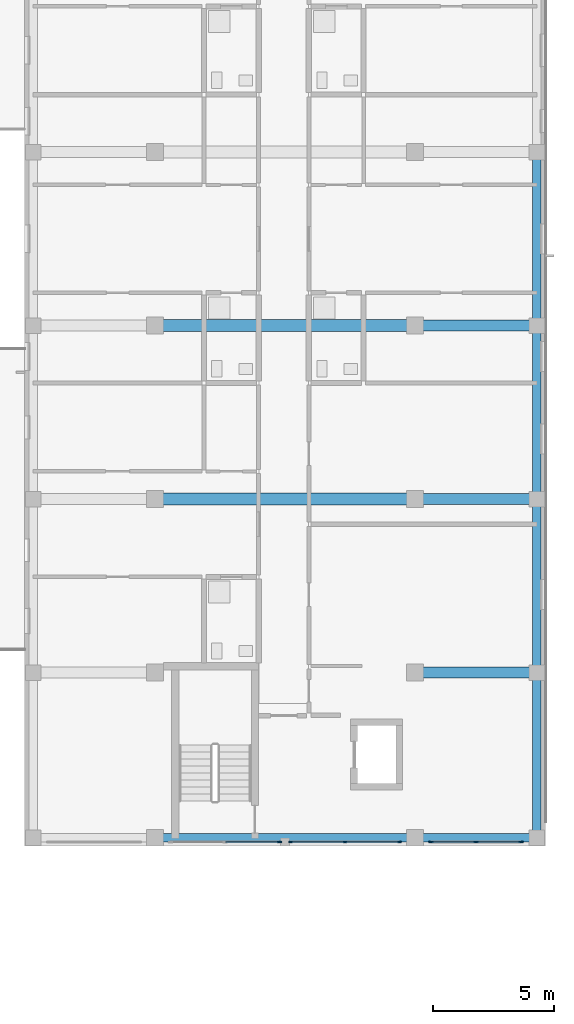
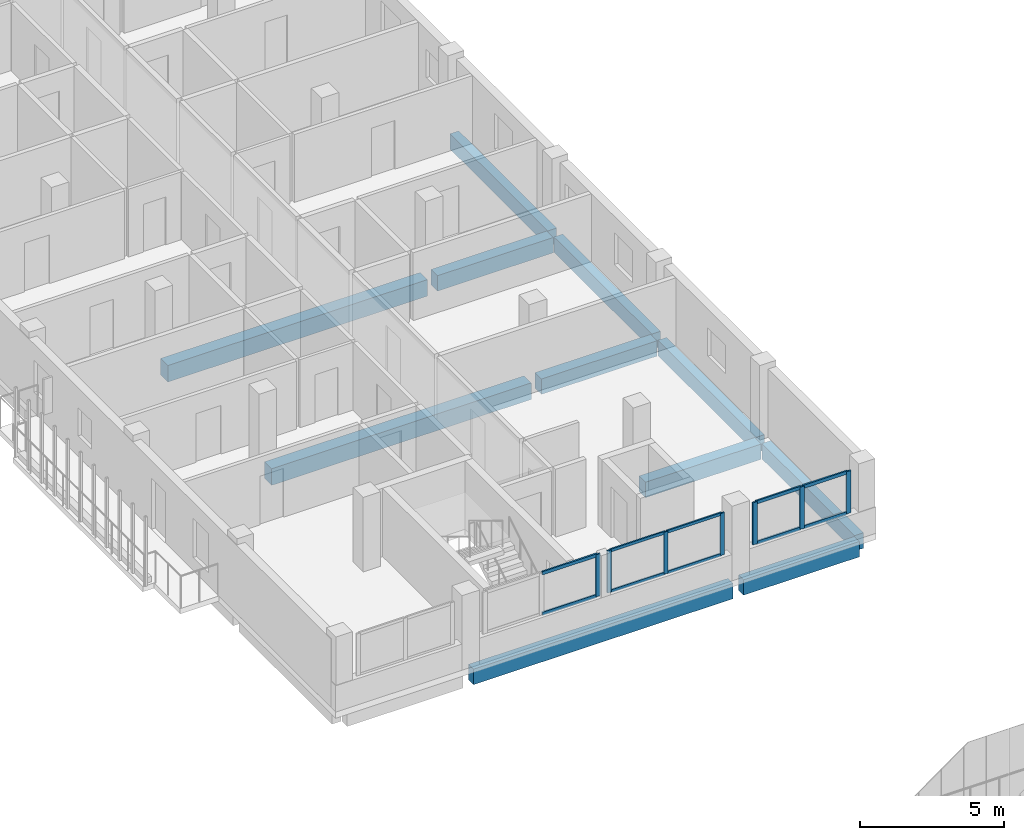
# One storey, part 19 of 56: 17 members, 11 beams, 3 elements without a shape of their own.
"""IFC4 building model written with IfcOpenShell, lengths in metres."""

import ifcopenshell
import ifcopenshell.guid

model = None  # the IFC model being written
_history = None  # IfcOwnerHistory: only IFC2X3 demands one
_inside = {}  # id of a spatial element -> (the spatial element, [elements in it])
_under = {}  # id of a project, library or spatial element -> (it, [spatial elements below it])
_declared = {}  # id of a project -> (the project, [libraries it declares])
_typed = {}  # id of a type object -> (the type object, [elements of that type])
_made_of = {}  # id of a material, layer set ... -> (it, [elements and type objects made of it])


def new_model(schema):
    """Start an empty IFC model of exactly this schema.

    Asked for "IFC4X3", IfcOpenShell would pick the latest addendum, in which some entities
    have other attributes; the version numbers below select the first issue.
    IFC2X3 requires an IfcOwnerHistory on every rooted entity: one is made here for all.
    """
    global model, _history
    if schema == "IFC4X3":
        model = ifcopenshell.file(schema_version=(4, 3, 0, 0))
    else:
        model = ifcopenshell.file(schema=schema)
    _inside.clear()
    _under.clear()
    _declared.clear()
    _typed.clear()
    _made_of.clear()
    _history = None
    if model.schema == "IFC2X3":
        org = make("IfcOrganization", Name="unknown")
        user = make(
            "IfcPersonAndOrganization",
            ThePerson=make("IfcPerson", FamilyName="unknown"),
            TheOrganization=org,
        )
        app = make(
            "IfcApplication",
            ApplicationDeveloper=org,
            Version="unknown",
            ApplicationFullName="unknown",
            ApplicationIdentifier="unknown",
        )
        _history = make(
            "IfcOwnerHistory",
            OwningUser=user,
            OwningApplication=app,
            ChangeAction="ADDED",
            CreationDate=0,
        )
    return model


def make(cls, **values):
    """One entity of the class cls with the attributes given. An attribute that is None is left unset."""
    return model.create_entity(
        cls, **{name: value for name, value in values.items() if value is not None}
    )


def rooted(cls, **values):
    """An entity with a GlobalId (a new one), such as an element, a storey or a relation."""
    return make(cls, GlobalId=ifcopenshell.guid.new(), OwnerHistory=_history, **values)


def si_unit(unit_type, name, prefix=None):
    """IfcSIUnit, for example si_unit("LENGTHUNIT", "METRE", prefix="MILLI")."""
    return make("IfcSIUnit", UnitType=unit_type, Prefix=prefix, Name=name)


def derived_unit(unit_type, elements):
    """IfcDerivedUnit: a product of units, each with its exponent."""
    return make(
        "IfcDerivedUnit",
        Elements=[
            make("IfcDerivedUnitElement", Unit=unit, Exponent=power)
            for unit, power in elements
        ],
        UnitType=unit_type,
    )


def assignment(units):
    """IfcUnitAssignment: the units of a project."""
    return None if units is None else make("IfcUnitAssignment", Units=units)


def point(xyz):
    """IfcCartesianPoint."""
    return None if xyz is None else make("IfcCartesianPoint", Coordinates=xyz)


def direction(xyz):
    """IfcDirection."""
    return None if xyz is None else make("IfcDirection", DirectionRatios=xyz)


def frame(location, z_axis=None, x_axis=None):
    """IfcAxis2Placement3D, a coordinate frame: its origin and axes. An axis left out is left unset."""
    return make(
        "IfcAxis2Placement3D",
        Location=point(location),
        Axis=direction(z_axis),
        RefDirection=direction(x_axis),
    )


def frame_2d(location, x_axis=None):
    """IfcAxis2Placement2D, a coordinate frame in the plane: its origin and x axis."""
    return make(
        "IfcAxis2Placement2D", Location=point(location), RefDirection=direction(x_axis)
    )


def origin():
    """The frame at (0, 0, 0) with its axes left unset."""
    return frame((0.0, 0.0, 0.0))


def origin_2d():
    """The frame at (0, 0) in the plane with its x axis left unset."""
    return frame_2d((0.0, 0.0))


def place(relative_to, where):
    """IfcLocalPlacement: puts the frame where relative to a parent placement (None: the world)."""
    return make(
        "IfcLocalPlacement", PlacementRelTo=relative_to, RelativePlacement=where
    )


def context(
    kind, dimensions, precision=None, world=None, true_north=None, identifier=None
):
    """IfcGeometricRepresentationContext, for example the 3D "Model" context."""
    return make(
        "IfcGeometricRepresentationContext",
        ContextIdentifier=identifier,
        ContextType=kind,
        CoordinateSpaceDimension=dimensions,
        Precision=precision,
        WorldCoordinateSystem=world,
        TrueNorth=true_north,
    )


def subcontext(parent, identifier, kind, view, scale=None):
    """IfcGeometricRepresentationSubContext, for example "Body" below "Model"."""
    return make(
        "IfcGeometricRepresentationSubContext",
        ContextIdentifier=identifier,
        ContextType=kind,
        ParentContext=parent,
        TargetScale=scale,
        TargetView=view,
    )


def project(units=None, contexts=None):
    """IfcProject with its units and contexts."""
    return rooted(
        "IfcProject",
        Name="project",
        RepresentationContexts=contexts,
        UnitsInContext=assignment(units),
    )


def spatial(cls, under=None, at=None, **own):
    """A site, building, storey or space (cls), placed at a placement, below another one or the project."""
    s = rooted(cls, ObjectPlacement=at, **own)
    if under is not None:
        _under.setdefault(under.id(), (under, []))[1].append(s)
    return s


def profile(cls, at=None, kind="AREA", **sizes):
    """A parametric profile (cls). Its sizes go by their IFC names, for example OverallWidth=200.0."""
    return make(cls, ProfileType=kind, Position=at, **sizes)


def rectangle(**sizes):
    """IfcRectangleProfileDef."""
    return profile("IfcRectangleProfileDef", **sizes)


def extrude(swept, where, along, depth):
    """IfcExtrudedAreaSolid: the profile swept, set in the frame where, extruded along a direction by depth."""
    return make(
        "IfcExtrudedAreaSolid",
        SweptArea=swept,
        Position=where,
        ExtrudedDirection=direction(along),
        Depth=depth,
    )


def shape(context_of_items, identifier, shape_type, items):
    """IfcShapeRepresentation: the items that make up one representation, for example the "Body"."""
    return make(
        "IfcShapeRepresentation",
        ContextOfItems=context_of_items,
        RepresentationIdentifier=identifier,
        RepresentationType=shape_type,
        Items=items,
    )


def material(Name=None, Category=None):
    """IfcMaterial."""
    return make("IfcMaterial", Name=Name, Category=Category)


def layer(
    of_material, thickness, ventilated=None, Name=None, Category=None, Priority=None
):
    """IfcMaterialLayer: one layer of a wall or slab, of a material (None: an air gap)."""
    return make(
        "IfcMaterialLayer",
        Material=of_material,
        LayerThickness=thickness,
        IsVentilated=ventilated,
        Name=Name,
        Category=Category,
        Priority=Priority,
    )


def layer_set(layers, Name=None):
    """IfcMaterialLayerSet."""
    return make("IfcMaterialLayerSet", MaterialLayers=layers, LayerSetName=Name)


def material_profile(
    of_material, cross_section, Name=None, Category=None, Priority=None
):
    """IfcMaterialProfile: a cross section and its material."""
    return make(
        "IfcMaterialProfile",
        Name=Name,
        Material=of_material,
        Profile=cross_section,
        Priority=Priority,
        Category=Category,
    )


def profile_set(profiles, Name=None, composite=None):
    """IfcMaterialProfileSet."""
    return make(
        "IfcMaterialProfileSet",
        Name=Name,
        MaterialProfiles=profiles,
        CompositeProfile=composite,
    )


def made_of(thing, what):
    """Note that an element or type object is made of a material, layer set ...; save() writes the relation."""
    if what is not None:
        _made_of.setdefault(what.id(), (what, []))[1].append(thing)
    return thing


def type_object(cls, material=None, **own):
    """A type object (cls), such as IfcWallType, which elements share."""
    return made_of(rooted(cls, **own), material)


def element(
    cls,
    number,
    at=None,
    inside=None,
    cuts=None,
    type_object=None,
    material=None,
    context=None,
    identifier="Body",
    shape_type=None,
    held_by="IfcProductDefinitionShape",
    body=None,
    shapes=None,
    **own,
):
    """One element of the class cls, such as IfcWall. Its Tag is "e" and its number.

    at: its placement. inside: the storey or other place that contains it. cuts: it is an
    opening in that element (IfcRelVoidsElement). A single representation is given by context,
    identifier, shape_type and body (its items); several are given by shapes. held_by: the class
    of the entity that holds the representations. save() writes the other relations.
    """
    e = rooted(cls, Tag="e%d" % number, ObjectPlacement=at, **own)
    if body is not None:
        shapes = [shape(context, identifier, shape_type, body)]
    if shapes is not None:
        e.Representation = make(held_by, Representations=shapes)
    if inside is not None:
        _inside.setdefault(inside.id(), (inside, []))[1].append(e)
    if cuts is not None:
        rooted(
            "IfcRelVoidsElement", RelatingBuildingElement=cuts, RelatedOpeningElement=e
        )
    if type_object is not None:
        _typed.setdefault(type_object.id(), (type_object, []))[1].append(e)
    return made_of(e, material)


def aggregate(whole, parts):
    """IfcRelAggregates: a whole, such as a stair, and the parts it consists of."""
    return rooted("IfcRelAggregates", RelatingObject=whole, RelatedObjects=parts)


def save(model, path):
    """Write the relations noted so far, then the file.

    IfcRelAggregates (storeys below a building ...), IfcRelContainedInSpatialStructure (elements
    in a storey), IfcRelDefinesByType, IfcRelAssociatesMaterial and IfcRelDeclares: one each for
    every whole, place, type object, material and project.
    """
    for whole, parts in _under.values():
        aggregate(whole, parts)
    for where, things in _inside.values():
        rooted(
            "IfcRelContainedInSpatialStructure",
            RelatedElements=things,
            RelatingStructure=where,
        )
    for kind, things in _typed.values():
        rooted("IfcRelDefinesByType", RelatedObjects=things, RelatingType=kind)
    for what, things in _made_of.values():
        rooted("IfcRelAssociatesMaterial", RelatedObjects=things, RelatingMaterial=what)
    for by, libraries in _declared.values():
        rooted("IfcRelDeclares", RelatingContext=by, RelatedDefinitions=libraries)
    model.write(path)


model = new_model("IFC4")

# Units and contexts
model_context = context("Model", 3, precision=1e-05, world=origin(), true_north=direction((0.0, 1.0)))
body_context = subcontext(model_context, "Body", "Model", "MODEL_VIEW")
ifc_project = project(units=[si_unit("LENGTHUNIT", "METRE"), si_unit("AREAUNIT", "SQUARE_METRE"), si_unit("VOLUMEUNIT", "CUBIC_METRE"), si_unit("PLANEANGLEUNIT", "RADIAN"), si_unit("MASSUNIT", "GRAM", prefix="KILO"), derived_unit("THERMALTRANSMITTANCEUNIT", [(si_unit("MASSUNIT", "GRAM", prefix="KILO"), 1), (si_unit("TIMEUNIT", "SECOND"), -3), (si_unit("THERMODYNAMICTEMPERATUREUNIT", "KELVIN"), -1)])], contexts=[model_context])

# Site, building, storey
site_placement = place(None, origin())
site = spatial("IfcSite", under=ifc_project, at=site_placement, CompositionType="ELEMENT")
building_placement = place(site_placement, origin())
building = spatial("IfcBuilding", under=site, at=building_placement, Name="Ochrekiln Boulevard Commons", CompositionType="ELEMENT")
storey_placement = place(building_placement, frame((0.0, 0.0, 12.074951171875)))
storey = spatial("IfcBuildingStorey", under=building, at=storey_placement, Name="L03", CompositionType="ELEMENT", Elevation=12.074951171875)

# Beams
ifc_material_1 = material(Name="Concrete C35/45", Category="concrete")
ifc_material_profile_1 = material_profile(ifc_material_1, rectangle(XDim=0.449951171875, YDim=0.64990234375, at=origin_2d()), Name="RC-BM-450x650")
ifc_profile_set_1 = profile_set([ifc_material_profile_1], Name="Concrete C35/45")
beam_type_1 = type_object("IfcBeamType", Name="BM-RC-450x650", PredefinedType="BEAM", material=ifc_profile_set_1)
for number, where, z_axis, x_axis, name in (
    (1, (167.610107421875, 75.60009765625, -0.5849609375), (1.0, 0.0, 0.0), (0.0, 1.0, 0.0), "Block B L03 Beam B-4565 X5"),
    (2, (167.610107421875, 82.800048828125, -0.5849609375), (1.0, 0.0, 0.0), (0.0, 1.0, 0.0), "Block B L03 Beam B-4565 X8"),
    (3, (167.610107421875, 90.0, -0.5849609375), (1.0, 0.0, 0.0), (0.0, 1.0, 0.0), "Block B L03 Beam B-4565 X11"),
):
    element("IfcBeam", number, at=place(storey_placement, frame(where, z_axis=z_axis, x_axis=x_axis)), inside=storey, type_object=beam_type_1, Name=name, PredefinedType="BEAM", context=body_context, shape_type="SweptSolid", body=[
        extrude(rectangle(XDim=0.449951171875, YDim=0.64990234375, at=origin_2d()), origin(), (0.0, 0.0, 1.0), 4.6298828125),
    ])
ifc_material_2 = material(Name="Concrete C40/50", Category="concrete")
ifc_material_profile_2 = material_profile(ifc_material_2, rectangle(XDim=0.5, YDim=0.699951171875, at=origin_2d()), Name="RC-BM-500x700")
ifc_profile_set_2 = profile_set([ifc_material_profile_2], Name="Concrete C40/50")
beam_type_2 = type_object("IfcBeamType", Name="BM-RC-500x700", PredefinedType="BEAM", material=ifc_profile_set_2)
for number, where, z_axis, x_axis, name in (
    (4, (156.81005859375, 82.800048828125, -0.60986328125), (1.0, 0.0, 0.0), (0.0, 1.0, 0.0), "Block B L03 Beam B-5070 X7"),
    (5, (156.81005859375, 90.0, -0.60986328125), (1.0, 0.0, 0.0), (0.0, 1.0, 0.0), "Block B L03 Beam B-5070 X10"),
):
    element("IfcBeam", number, at=place(storey_placement, frame(where, z_axis=z_axis, x_axis=x_axis)), inside=storey, type_object=beam_type_2, Name=name, PredefinedType="BEAM", context=body_context, shape_type="SweptSolid", body=[
        extrude(rectangle(XDim=0.5, YDim=0.699951171875, at=origin_2d()), origin(), (0.0, 0.0, 1.0), 10.3798828125),
    ])

# Curtain wall, members
ifc_material_3 = material(Name="Bronze-anodized extruded aluminium 6063-T6", Category="aluminium")
ifc_layer = layer(ifc_material_3, 0.18408203125)
ifc_layer_set = layer_set([ifc_layer], Name="Bronze-anodized extruded aluminium 6063-T6")
curtain_wall_type = type_object("IfcCurtainWallType", Name="CW-GABLE-B", PredefinedType="USERDEFINED", material=ifc_layer_set)
curtain_wall_1_placement = place(storey_placement, origin())
curtain_wall_1 = element("IfcCurtainWall", 6, at=curtain_wall_1_placement, inside=storey, type_object=curtain_wall_type, Name="Block B L03 Courtyard Glazed Gable Curtain Wall 3", ObjectType="GLAZED CURTAIN WALL", PredefinedType="USERDEFINED")
ifc_material_profile_3 = material_profile(ifc_material_3, rectangle(XDim=0.06005859375, YDim=0.159912109375, at=origin_2d()), Name="ALU-MUL-60x160")
ifc_profile_set_3 = profile_set([ifc_material_profile_3], Name="Bronze-anodized extruded aluminium 6063-T6")
member_type_1 = type_object("IfcMemberType", Name="CWM-60x160", PredefinedType="MULLION", material=ifc_profile_set_3)
member_1_placement = place(storey_placement, frame((162.22998046875, 68.570068359375, 1.110107421875), z_axis=(0.0, 0.0, 1.0), x_axis=(0.0, 1.0, 0.0)))
member_1 = element("IfcMember", 7, at=member_1_placement, type_object=member_type_1, Name="CW-02 mullion 1", PredefinedType="MULLION", context=body_context, shape_type="SweptSolid", body=[
    extrude(rectangle(XDim=0.06005859375, YDim=0.159912109375, at=origin_2d()), origin(), (0.0, 0.0, 1.0), 1.780029296875),
])
member_2_placement = place(storey_placement, frame((164.489990234375, 68.570068359375, 1.110107421875), z_axis=(0.0, 0.0, 1.0), x_axis=(0.0, 1.0, 0.0)))
member_2 = element("IfcMember", 8, at=member_2_placement, type_object=member_type_1, Name="CW-02 mullion 2", PredefinedType="MULLION", context=body_context, shape_type="SweptSolid", body=[
    extrude(rectangle(XDim=0.06005859375, YDim=0.159912109375, at=origin_2d()), origin(), (0.0, 0.0, 1.0), 1.780029296875),
])
member_3_placement = place(storey_placement, frame((166.75, 68.570068359375, 1.110107421875), z_axis=(0.0, 0.0, 1.0), x_axis=(0.0, 1.0, 0.0)))
member_3 = element("IfcMember", 9, at=member_3_placement, type_object=member_type_1, Name="CW-02 mullion 3", PredefinedType="MULLION", context=body_context, shape_type="SweptSolid", body=[
    extrude(rectangle(XDim=0.06005859375, YDim=0.159912109375, at=origin_2d()), origin(), (0.0, 0.0, 1.0), 1.780029296875),
])

# Curtain wall, member
curtain_wall_2_placement = place(storey_placement, origin())
curtain_wall_2 = element("IfcCurtainWall", 10, at=curtain_wall_2_placement, inside=storey, type_object=curtain_wall_type, Name="Block B L03 Courtyard Glazed Gable Curtain Wall 2", ObjectType="GLAZED CURTAIN WALL", PredefinedType="USERDEFINED")
ifc_material_profile_4 = material_profile(ifc_material_3, rectangle(XDim=0.06494140625, YDim=0.179931640625, at=origin_2d()), Name="ALU-MUL-65x180")
ifc_profile_set_4 = profile_set([ifc_material_profile_4], Name="Bronze-anodized extruded aluminium 6063-T6")
member_type_2 = type_object("IfcMemberType", Name="CWM-65x180", PredefinedType="MULLION", material=ifc_profile_set_4)
member_4_placement = place(storey_placement, frame((161.767578125, 68.570068359375, 1.110107421875), z_axis=(0.0, 0.0, 1.0), x_axis=(0.0, 1.0, 0.0)))
member_4 = element("IfcMember", 11, at=member_4_placement, type_object=member_type_2, Name="CW-02 mullion 3", PredefinedType="MULLION", context=body_context, shape_type="SweptSolid", body=[
    extrude(rectangle(XDim=0.06494140625, YDim=0.179931640625, at=origin_2d()), origin(), (0.0, 0.0, 1.0), 1.780029296875),
])

# Curtain wall, members
curtain_wall_3_placement = place(storey_placement, origin())
curtain_wall_3 = element("IfcCurtainWall", 12, at=curtain_wall_3_placement, inside=storey, type_object=curtain_wall_type, Name="Block B L03 Courtyard Glazed Gable Curtain Wall 4", ObjectType="GLAZED CURTAIN WALL", PredefinedType="USERDEFINED")
member_5_placement = place(storey_placement, frame((168.052490234375, 68.570068359375, 1.110107421875), z_axis=(0.0, 0.0, 1.0), x_axis=(0.0, 1.0, 0.0)))
member_5 = element("IfcMember", 13, at=member_5_placement, type_object=member_type_2, Name="CW-02 mullion 1", PredefinedType="MULLION", context=body_context, shape_type="SweptSolid", body=[
    extrude(rectangle(XDim=0.06494140625, YDim=0.179931640625, at=origin_2d()), origin(), (0.0, 0.0, 1.0), 1.780029296875),
])
member_6_placement = place(storey_placement, frame((169.925048828125, 68.570068359375, 1.110107421875), z_axis=(0.0, 0.0, 1.0), x_axis=(0.0, 1.0, 0.0)))
member_6 = element("IfcMember", 14, at=member_6_placement, type_object=member_type_2, Name="CW-02 mullion 2", PredefinedType="MULLION", context=body_context, shape_type="SweptSolid", body=[
    extrude(rectangle(XDim=0.06494140625, YDim=0.179931640625, at=origin_2d()), origin(), (0.0, 0.0, 1.0), 1.780029296875),
])
member_7_placement = place(storey_placement, frame((171.797607421875, 68.570068359375, 1.110107421875), z_axis=(0.0, 0.0, 1.0), x_axis=(0.0, 1.0, 0.0)))
member_7 = element("IfcMember", 15, at=member_7_placement, type_object=member_type_2, Name="CW-02 mullion 3", PredefinedType="MULLION", context=body_context, shape_type="SweptSolid", body=[
    extrude(rectangle(XDim=0.06494140625, YDim=0.179931640625, at=origin_2d()), origin(), (0.0, 0.0, 1.0), 1.780029296875),
])

# Member
ifc_material_profile_5 = material_profile(ifc_material_3, rectangle(XDim=0.06005859375, YDim=0.1201171875, at=origin_2d()), Name="ALU-TRN-60x120")
ifc_profile_set_5 = profile_set([ifc_material_profile_5], Name="Bronze-anodized extruded aluminium 6063-T6")
member_type_3 = type_object("IfcMemberType", Name="CWT-60x120", PredefinedType="USERDEFINED", material=ifc_profile_set_5)
member_8_placement = place(storey_placement, frame((162.260009765625, 68.570068359375, 1.14013671875), z_axis=(1.0, 0.0, 0.0), x_axis=(0.0, 1.0, 0.0)))
member_8 = element("IfcMember", 16, at=member_8_placement, type_object=member_type_3, Name="CW-02 transom 1.1", ObjectType="TRANSOM", PredefinedType="USERDEFINED", context=body_context, shape_type="SweptSolid", body=[
    extrude(rectangle(XDim=0.06005859375, YDim=0.1201171875, at=origin_2d()), origin(), (0.0, 0.0, 1.0), 2.199951171875),
])

member_9_placement = place(storey_placement, frame((162.260009765625, 68.570068359375, 2.860107421875), z_axis=(1.0, 0.0, 0.0), x_axis=(0.0, 1.0, 0.0)))
member_9 = element("IfcMember", 17, at=member_9_placement, type_object=member_type_3, Name="CW-02 transom 1.2", ObjectType="TRANSOM", PredefinedType="USERDEFINED", context=body_context, shape_type="SweptSolid", body=[
    extrude(rectangle(XDim=0.06005859375, YDim=0.1201171875, at=origin_2d()), origin(), (0.0, 0.0, 1.0), 2.199951171875),
])

member_10_placement = place(storey_placement, frame((164.52001953125, 68.570068359375, 1.14013671875), z_axis=(1.0, 0.0, 0.0), x_axis=(0.0, 1.0, 0.0)))
member_10 = element("IfcMember", 18, at=member_10_placement, type_object=member_type_3, Name="CW-02 transom 2.1", ObjectType="TRANSOM", PredefinedType="USERDEFINED", context=body_context, shape_type="SweptSolid", body=[
    extrude(rectangle(XDim=0.06005859375, YDim=0.1201171875, at=origin_2d()), origin(), (0.0, 0.0, 1.0), 2.199951171875),
])

member_11_placement = place(storey_placement, frame((164.52001953125, 68.570068359375, 2.860107421875), z_axis=(1.0, 0.0, 0.0), x_axis=(0.0, 1.0, 0.0)))
member_11 = element("IfcMember", 19, at=member_11_placement, type_object=member_type_3, Name="CW-02 transom 2.2", ObjectType="TRANSOM", PredefinedType="USERDEFINED", context=body_context, shape_type="SweptSolid", body=[
    extrude(rectangle(XDim=0.06005859375, YDim=0.1201171875, at=origin_2d()), origin(), (0.0, 0.0, 1.0), 2.199951171875),
])

aggregate(curtain_wall_1, [member_1, member_2, member_3, member_8, member_9, member_10, member_11])

ifc_material_profile_6 = material_profile(ifc_material_3, rectangle(XDim=0.06494140625, YDim=0.139892578125, at=origin_2d()), Name="ALU-TRN-65x140")
ifc_profile_set_6 = profile_set([ifc_material_profile_6], Name="Bronze-anodized extruded aluminium 6063-T6")
member_type_4 = type_object("IfcMemberType", Name="CWT-65x140", PredefinedType="USERDEFINED", material=ifc_profile_set_6)
member_12_placement = place(storey_placement, frame((159.54248046875, 68.570068359375, 1.142578125), z_axis=(1.0, 0.0, 0.0), x_axis=(0.0, 1.0, 0.0)))
member_12 = element("IfcMember", 20, at=member_12_placement, type_object=member_type_4, Name="CW-02 transom 2.1", ObjectType="TRANSOM", PredefinedType="USERDEFINED", context=body_context, shape_type="SweptSolid", body=[
    extrude(rectangle(XDim=0.06494140625, YDim=0.139892578125, at=origin_2d()), origin(), (0.0, 0.0, 1.0), 2.192626953125),
])

member_13_placement = place(storey_placement, frame((159.54248046875, 68.570068359375, 2.857666015625), z_axis=(1.0, 0.0, 0.0), x_axis=(0.0, 1.0, 0.0)))
member_13 = element("IfcMember", 21, at=member_13_placement, type_object=member_type_4, Name="CW-02 transom 2.2", ObjectType="TRANSOM", PredefinedType="USERDEFINED", context=body_context, shape_type="SweptSolid", body=[
    extrude(rectangle(XDim=0.06494140625, YDim=0.139892578125, at=origin_2d()), origin(), (0.0, 0.0, 1.0), 2.192626953125),
])

aggregate(curtain_wall_2, [member_4, member_12, member_13])

member_14_placement = place(storey_placement, frame((168.0849609375, 68.570068359375, 1.142578125), z_axis=(1.0, 0.0, 0.0), x_axis=(0.0, 1.0, 0.0)))
member_14 = element("IfcMember", 22, at=member_14_placement, type_object=member_type_4, Name="CW-02 transom 1.1", ObjectType="TRANSOM", PredefinedType="USERDEFINED", context=body_context, shape_type="SweptSolid", body=[
    extrude(rectangle(XDim=0.06494140625, YDim=0.139892578125, at=origin_2d()), origin(), (0.0, 0.0, 1.0), 1.8076171875),
])

member_15_placement = place(storey_placement, frame((168.0849609375, 68.570068359375, 2.857666015625), z_axis=(1.0, 0.0, 0.0), x_axis=(0.0, 1.0, 0.0)))
member_15 = element("IfcMember", 23, at=member_15_placement, type_object=member_type_4, Name="CW-02 transom 1.2", ObjectType="TRANSOM", PredefinedType="USERDEFINED", context=body_context, shape_type="SweptSolid", body=[
    extrude(rectangle(XDim=0.06494140625, YDim=0.139892578125, at=origin_2d()), origin(), (0.0, 0.0, 1.0), 1.8076171875),
])

member_16_placement = place(storey_placement, frame((169.95751953125, 68.570068359375, 1.142578125), z_axis=(1.0, 0.0, 0.0), x_axis=(0.0, 1.0, 0.0)))
member_16 = element("IfcMember", 24, at=member_16_placement, type_object=member_type_4, Name="CW-02 transom 2.1", ObjectType="TRANSOM", PredefinedType="USERDEFINED", context=body_context, shape_type="SweptSolid", body=[
    extrude(rectangle(XDim=0.06494140625, YDim=0.139892578125, at=origin_2d()), origin(), (0.0, 0.0, 1.0), 1.807373046875),
])

member_17_placement = place(storey_placement, frame((169.95751953125, 68.570068359375, 2.857666015625), z_axis=(1.0, 0.0, 0.0), x_axis=(0.0, 1.0, 0.0)))
member_17 = element("IfcMember", 25, at=member_17_placement, type_object=member_type_4, Name="CW-02 transom 2.2", ObjectType="TRANSOM", PredefinedType="USERDEFINED", context=body_context, shape_type="SweptSolid", body=[
    extrude(rectangle(XDim=0.06494140625, YDim=0.139892578125, at=origin_2d()), origin(), (0.0, 0.0, 1.0), 1.807373046875),
])

aggregate(curtain_wall_3, [member_5, member_6, member_7, member_14, member_15, member_16, member_17])

# Beams
ifc_material_profile_7 = material_profile(ifc_material_2, rectangle(XDim=0.35009765625, YDim=0.64990234375, at=origin_2d()), Name="RC-SPN-350x650")
ifc_profile_set_7 = profile_set([ifc_material_profile_7], Name="Concrete C40/50")
beam_type_3 = type_object("IfcBeamType", Name="SPN-RC-350x650", PredefinedType="SPANDREL", material=ifc_profile_set_7)
beam_1_placement = place(storey_placement, frame((156.81005859375, 68.75, -0.5849609375), z_axis=(1.0, 0.0, 0.0), x_axis=(0.0, 1.0, 0.0)))
element("IfcBeam", 26, at=beam_1_placement, inside=storey, type_object=beam_type_3, Name="Block B L03 Beam SP-3565 X2", PredefinedType="SPANDREL", context=body_context, shape_type="SweptSolid", body=[
    extrude(rectangle(XDim=0.35009765625, YDim=0.64990234375, at=origin_2d()), origin(), (0.0, 0.0, 1.0), 10.3798828125),
])
beam_2_placement = place(storey_placement, frame((167.610107421875, 68.75, -0.5849609375), z_axis=(1.0, 0.0, 0.0), x_axis=(0.0, 1.0, 0.0)))
element("IfcBeam", 27, at=beam_2_placement, inside=storey, type_object=beam_type_3, Name="Block B L03 Beam SP-3565 X3", PredefinedType="SPANDREL", context=body_context, shape_type="SweptSolid", body=[
    extrude(rectangle(XDim=0.35009765625, YDim=0.64990234375, at=origin_2d()), origin(), (0.0, 0.0, 1.0), 4.6298828125),
])
beam_3_placement = place(storey_placement, frame((172.449951171875, 68.9599609375, -0.5849609375), z_axis=(0.0, 1.0, 0.0), x_axis=(-1.0, 0.0, 0.0)))
element("IfcBeam", 28, at=beam_3_placement, inside=storey, type_object=beam_type_3, Name="Block B L03 Beam SP-3565 Y30", PredefinedType="SPANDREL", context=body_context, shape_type="SweptSolid", body=[
    extrude(rectangle(XDim=0.35009765625, YDim=0.64990234375, at=origin_2d()), origin(), (0.0, 0.0, 1.0), 6.429931640625),
])
for number, where, z_axis, x_axis, name in (
    (29, (172.449951171875, 75.81005859375, -0.5849609375), (0.0, 1.0, 0.0), (-1.0, 0.0, 0.0), "Block B L03 Beam SP-3565 Y31"),
    (30, (172.449951171875, 83.010009765625, -0.5849609375), (0.0, 1.0, 0.0), (-1.0, 0.0, 0.0), "Block B L03 Beam SP-3565 Y32"),
    (31, (172.449951171875, 90.2099609375, -0.5849609375), (0.0, 1.0, 0.0), (-1.0, 0.0, 0.0), "Block B L03 Beam SP-3565 Y33"),
):
    element("IfcBeam", number, at=place(storey_placement, frame(where, z_axis=z_axis, x_axis=x_axis)), inside=storey, type_object=beam_type_3, Name=name, PredefinedType="SPANDREL", context=body_context, shape_type="SweptSolid", body=[
        extrude(rectangle(XDim=0.35009765625, YDim=0.64990234375, at=origin_2d()), origin(), (0.0, 0.0, 1.0), 6.780029296875),
    ])

save(model, "model.ifc")
